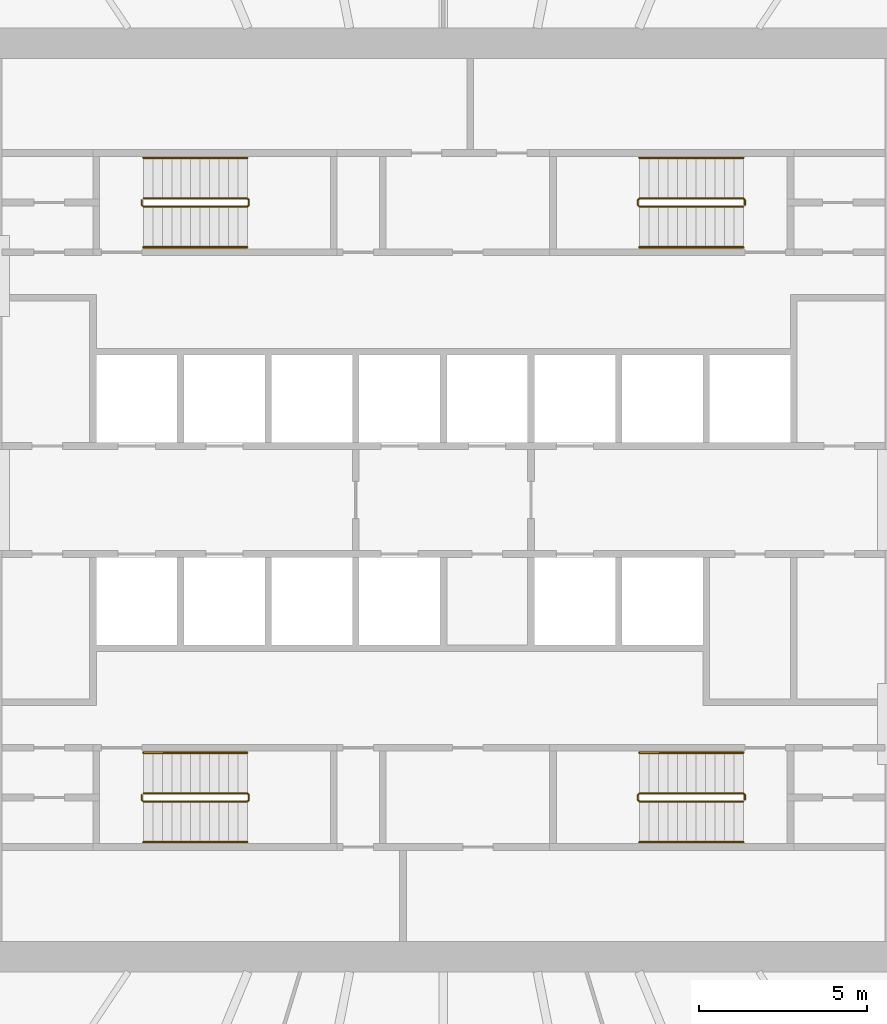
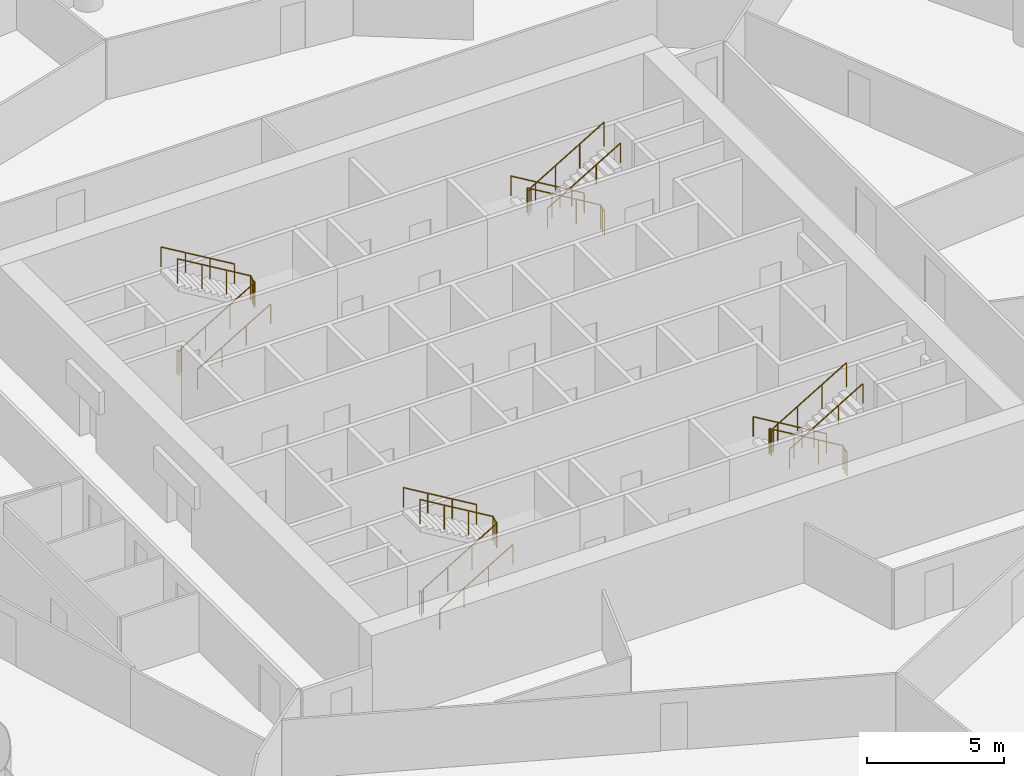
# One storey, part 9 of 9: 12 railings.
"""IFC4 building model written with IfcOpenShell, lengths in metres."""

from ifc_helpers import new_model, si_unit, direction, frame, origin, origin_2d, place, context, subcontext, project, spatial, circle, extrude, material, type_object, element, save


model = new_model("IFC4")

# Units and contexts
model_context = context("Model", 3, precision=1e-05, world=origin(), true_north=direction((0.0, 1.0)))
body_context = subcontext(model_context, "Body", "Model", "MODEL_VIEW")
ifc_project = project(units=[si_unit("LENGTHUNIT", "METRE"), si_unit("AREAUNIT", "SQUARE_METRE"), si_unit("VOLUMEUNIT", "CUBIC_METRE"), si_unit("PLANEANGLEUNIT", "RADIAN"), si_unit("MASSUNIT", "GRAM", prefix="KILO")], contexts=[model_context])

# Site, building, storey
site_placement = place(None, origin())
site = spatial("IfcSite", under=ifc_project, at=site_placement, CompositionType="ELEMENT")
building_placement = place(site_placement, origin())
building = spatial("IfcBuilding", under=site, at=building_placement, Name="Corvane Civic Tower", CompositionType="ELEMENT")
storey_placement = place(building_placement, frame((0.0, 0.0, 192.0)))
storey = spatial("IfcBuildingStorey", under=building, at=storey_placement, Name="L45", CompositionType="ELEMENT", Elevation=192.0)

# Railings
ifc_material_1 = material(Name="Steel ASTM A572 Gr 50", Category="steel")
railing_type_1 = type_object("IfcRailingType", Name="ST-GUARD-1100", PredefinedType="GUARDRAIL", material=ifc_material_1)
railing_1_placement = place(storey_placement, frame((8.949951171875, 8.75, 0.0)))
element("IfcRailing", 1, at=railing_1_placement, inside=storey, type_object=railing_type_1, Name="L45 ST1 stair guard 1", PredefinedType="GUARDRAIL", context=body_context, shape_type="SweptSolid", body=[
    extrude(circle(Radius=0.02392578125, at=origin_2d()), frame((0.0, 0.0, 1.076171875), z_axis=(0.0, 1.0, 0.0), x_axis=(-1.0, 0.0, 0.0)), (0.0, 0.0, 1.0), 0.14990234375),
    extrude(circle(Radius=0.02392578125, at=origin_2d()), frame((0.0, 0.14990234375, 1.076171875), z_axis=(-0.27628659633, 0.27628659633, 0.920506074601), x_axis=(-0.707106781187, -0.707106781187, 0.0)), (0.0, 0.0, 1.0), 0.18115234375),
    extrude(circle(Radius=0.02392578125, at=origin_2d()), frame((-0.050048828125, 0.199951171875, 1.24267578125), z_axis=(-0.859290745958, 0.0, 0.51148745235), x_axis=(0.0, -1.0, 0.0)), (0.0, 0.0, 1.0), 3.584228515625),
    extrude(circle(Radius=0.02392578125, at=origin_2d()), frame((-3.1298828125, 0.199951171875, 3.076171875), z_axis=(-0.707106781187, -0.707106781187, 0.0), x_axis=(0.707106781187, -0.707106781187, 0.0)), (0.0, 0.0, 1.0), 0.07080078125),
    extrude(circle(Radius=0.02392578125, at=origin_2d()), frame((-3.179931640625, 0.14990234375, 3.076171875), z_axis=(0.0, -1.0, 0.0), x_axis=(1.0, 0.0, 0.0)), (0.0, 0.0, 1.0), 0.14990234375),
    extrude(circle(Radius=0.02392578125, at=origin_2d()), frame((-3.179931640625, 0.0, 3.076171875), z_axis=(0.27628659633, -0.27628659633, 0.920506074601), x_axis=(0.707106781187, 0.707106781187, 0.0)), (0.0, 0.0, 1.0), 0.18115234375),
    extrude(circle(Radius=0.02392578125, at=origin_2d()), frame((-3.1298828125, -0.050048828125, 3.24267578125), z_axis=(0.859290745958, 0.0, 0.51148745235), x_axis=(0.0, 1.0, 0.0)), (0.0, 0.0, 1.0), 3.584228515625),
    extrude(circle(Radius=0.02099609375, at=origin_2d()), origin(), (0.0, 0.0, 1.0), 1.052001953125),
    extrude(circle(Radius=0.02099609375, at=origin_2d()), frame((0.0, 0.14990234375, 0.0)), (0.0, 0.0, 1.0), 1.052001953125),
    extrude(circle(Radius=0.02099609375, at=origin_2d()), frame((-0.050048828125, 0.199951171875, 0.166748046875)), (0.0, 0.0, 1.0), 1.052001953125),
    extrude(circle(Radius=0.02099609375, at=origin_2d()), frame((-1.07666015625, 0.199951171875, 0.77783203125)), (0.0, 0.0, 1.0), 1.052001953125),
    extrude(circle(Radius=0.02099609375, at=origin_2d()), frame((-2.103271484375, 0.199951171875, 1.388916015625)), (0.0, 0.0, 1.0), 1.052001953125),
    extrude(circle(Radius=0.02099609375, at=origin_2d()), frame((-3.1298828125, 0.199951171875, 2.0)), (0.0, 0.0, 1.0), 1.052001953125),
    extrude(circle(Radius=0.02099609375, at=origin_2d()), frame((-3.179931640625, 0.14990234375, 2.0)), (0.0, 0.0, 1.0), 1.052001953125),
    extrude(circle(Radius=0.02099609375, at=origin_2d()), frame((-3.179931640625, 0.0, 2.0)), (0.0, 0.0, 1.0), 1.052001953125),
    extrude(circle(Radius=0.02099609375, at=origin_2d()), frame((-3.1298828125, -0.050048828125, 2.166748046875)), (0.0, 0.0, 1.0), 1.052001953125),
    extrude(circle(Radius=0.02099609375, at=origin_2d()), frame((-2.103271484375, -0.050048828125, 2.77783203125)), (0.0, 0.0, 1.0), 1.052001953125),
    extrude(circle(Radius=0.02099609375, at=origin_2d()), frame((-1.07666015625, -0.050048828125, 3.388916015625)), (0.0, 0.0, 1.0), 1.052001953125),
    extrude(circle(Radius=0.02099609375, at=origin_2d()), frame((-0.050048828125, -0.050048828125, 4.0)), (0.0, 0.0, 1.0), 1.052001953125),
])
railing_2_placement = place(storey_placement, frame((8.949951171875, -8.89990234375, 0.0)))
element("IfcRailing", 2, at=railing_2_placement, inside=storey, type_object=railing_type_1, Name="L45 ST2 stair guard 1", PredefinedType="GUARDRAIL", context=body_context, shape_type="SweptSolid", body=[
    extrude(circle(Radius=0.02392578125, at=origin_2d()), frame((0.0, 0.0, 1.076171875), z_axis=(0.0, 1.0, 0.0), x_axis=(-1.0, 0.0, 0.0)), (0.0, 0.0, 1.0), 0.14990234375),
    extrude(circle(Radius=0.02392578125, at=origin_2d()), frame((0.0, 0.14990234375, 1.076171875), z_axis=(-0.27628659633, 0.27628659633, 0.920506074601), x_axis=(-0.707106781187, -0.707106781187, 0.0)), (0.0, 0.0, 1.0), 0.18115234375),
    extrude(circle(Radius=0.02392578125, at=origin_2d()), frame((-0.050048828125, 0.199951171875, 1.24267578125), z_axis=(-0.859290745958, 0.0, 0.51148745235), x_axis=(0.0, -1.0, 0.0)), (0.0, 0.0, 1.0), 3.584228515625),
    extrude(circle(Radius=0.02392578125, at=origin_2d()), frame((-3.1298828125, 0.199951171875, 3.076171875), z_axis=(-0.707106781187, -0.707106781187, 0.0), x_axis=(0.707106781187, -0.707106781187, 0.0)), (0.0, 0.0, 1.0), 0.07080078125),
    extrude(circle(Radius=0.02392578125, at=origin_2d()), frame((-3.179931640625, 0.14990234375, 3.076171875), z_axis=(0.0, -1.0, 0.0), x_axis=(1.0, 0.0, 0.0)), (0.0, 0.0, 1.0), 0.14990234375),
    extrude(circle(Radius=0.02392578125, at=origin_2d()), frame((-3.179931640625, 0.0, 3.076171875), z_axis=(0.27628659633, -0.27628659633, 0.920506074601), x_axis=(0.707106781187, 0.707106781187, 0.0)), (0.0, 0.0, 1.0), 0.18115234375),
    extrude(circle(Radius=0.02392578125, at=origin_2d()), frame((-3.1298828125, -0.050048828125, 3.24267578125), z_axis=(0.859290745958, 0.0, 0.51148745235), x_axis=(0.0, 1.0, 0.0)), (0.0, 0.0, 1.0), 3.584228515625),
    extrude(circle(Radius=0.02099609375, at=origin_2d()), origin(), (0.0, 0.0, 1.0), 1.052001953125),
    extrude(circle(Radius=0.02099609375, at=origin_2d()), frame((0.0, 0.14990234375, 0.0)), (0.0, 0.0, 1.0), 1.052001953125),
    extrude(circle(Radius=0.02099609375, at=origin_2d()), frame((-0.050048828125, 0.199951171875, 0.166748046875)), (0.0, 0.0, 1.0), 1.052001953125),
    extrude(circle(Radius=0.02099609375, at=origin_2d()), frame((-1.07666015625, 0.199951171875, 0.77783203125)), (0.0, 0.0, 1.0), 1.052001953125),
    extrude(circle(Radius=0.02099609375, at=origin_2d()), frame((-2.103271484375, 0.199951171875, 1.388916015625)), (0.0, 0.0, 1.0), 1.052001953125),
    extrude(circle(Radius=0.02099609375, at=origin_2d()), frame((-3.1298828125, 0.199951171875, 2.0)), (0.0, 0.0, 1.0), 1.052001953125),
    extrude(circle(Radius=0.02099609375, at=origin_2d()), frame((-3.179931640625, 0.14990234375, 2.0)), (0.0, 0.0, 1.0), 1.052001953125),
    extrude(circle(Radius=0.02099609375, at=origin_2d()), frame((-3.179931640625, 0.0, 2.0)), (0.0, 0.0, 1.0), 1.052001953125),
    extrude(circle(Radius=0.02099609375, at=origin_2d()), frame((-3.1298828125, -0.050048828125, 2.166748046875)), (0.0, 0.0, 1.0), 1.052001953125),
    extrude(circle(Radius=0.02099609375, at=origin_2d()), frame((-2.103271484375, -0.050048828125, 2.77783203125)), (0.0, 0.0, 1.0), 1.052001953125),
    extrude(circle(Radius=0.02099609375, at=origin_2d()), frame((-1.07666015625, -0.050048828125, 3.388916015625)), (0.0, 0.0, 1.0), 1.052001953125),
    extrude(circle(Radius=0.02099609375, at=origin_2d()), frame((-0.050048828125, -0.050048828125, 4.0)), (0.0, 0.0, 1.0), 1.052001953125),
])
railing_3_placement = place(storey_placement, frame((-8.949951171875, -8.75, 0.0)))
element("IfcRailing", 3, at=railing_3_placement, inside=storey, type_object=railing_type_1, Name="L45 ST3 stair guard 1", PredefinedType="GUARDRAIL", context=body_context, shape_type="SweptSolid", body=[
    extrude(circle(Radius=0.02392578125, at=origin_2d()), frame((0.0, 0.0, 1.076171875), z_axis=(0.0, -1.0, 0.0), x_axis=(1.0, 0.0, 0.0)), (0.0, 0.0, 1.0), 0.14990234375),
    extrude(circle(Radius=0.02392578125, at=origin_2d()), frame((0.0, -0.14990234375, 1.076171875), z_axis=(0.27628659633, -0.27628659633, 0.920506074601), x_axis=(0.707106781187, 0.707106781187, 0.0)), (0.0, 0.0, 1.0), 0.18115234375),
    extrude(circle(Radius=0.02392578125, at=origin_2d()), frame((0.050048828125, -0.199951171875, 1.24267578125), z_axis=(0.859290745958, 0.0, 0.51148745235), x_axis=(0.0, 1.0, 0.0)), (0.0, 0.0, 1.0), 3.584228515625),
    extrude(circle(Radius=0.02392578125, at=origin_2d()), frame((3.1298828125, -0.199951171875, 3.076171875), z_axis=(0.707106781187, 0.707106781187, 0.0), x_axis=(-0.707106781187, 0.707106781187, 0.0)), (0.0, 0.0, 1.0), 0.07080078125),
    extrude(circle(Radius=0.02392578125, at=origin_2d()), frame((3.179931640625, -0.14990234375, 3.076171875), z_axis=(0.0, 1.0, 0.0), x_axis=(-1.0, 0.0, 0.0)), (0.0, 0.0, 1.0), 0.14990234375),
    extrude(circle(Radius=0.02392578125, at=origin_2d()), frame((3.179931640625, 0.0, 3.076171875), z_axis=(-0.27628659633, 0.27628659633, 0.920506074601), x_axis=(-0.707106781187, -0.707106781187, 0.0)), (0.0, 0.0, 1.0), 0.18115234375),
    extrude(circle(Radius=0.02392578125, at=origin_2d()), frame((3.1298828125, 0.050048828125, 3.24267578125), z_axis=(-0.859290745958, 0.0, 0.51148745235), x_axis=(0.0, -1.0, 0.0)), (0.0, 0.0, 1.0), 3.584228515625),
    extrude(circle(Radius=0.02099609375, at=origin_2d()), origin(), (0.0, 0.0, 1.0), 1.052001953125),
    extrude(circle(Radius=0.02099609375, at=origin_2d()), frame((0.0, -0.14990234375, 0.0)), (0.0, 0.0, 1.0), 1.052001953125),
    extrude(circle(Radius=0.02099609375, at=origin_2d()), frame((0.050048828125, -0.199951171875, 0.166748046875)), (0.0, 0.0, 1.0), 1.052001953125),
    extrude(circle(Radius=0.02099609375, at=origin_2d()), frame((1.07666015625, -0.199951171875, 0.77783203125)), (0.0, 0.0, 1.0), 1.052001953125),
    extrude(circle(Radius=0.02099609375, at=origin_2d()), frame((2.103271484375, -0.199951171875, 1.388916015625)), (0.0, 0.0, 1.0), 1.052001953125),
    extrude(circle(Radius=0.02099609375, at=origin_2d()), frame((3.1298828125, -0.199951171875, 2.0)), (0.0, 0.0, 1.0), 1.052001953125),
    extrude(circle(Radius=0.02099609375, at=origin_2d()), frame((3.179931640625, -0.14990234375, 2.0)), (0.0, 0.0, 1.0), 1.052001953125),
    extrude(circle(Radius=0.02099609375, at=origin_2d()), frame((3.179931640625, 0.0, 2.0)), (0.0, 0.0, 1.0), 1.052001953125),
    extrude(circle(Radius=0.02099609375, at=origin_2d()), frame((3.1298828125, 0.050048828125, 2.166748046875)), (0.0, 0.0, 1.0), 1.052001953125),
    extrude(circle(Radius=0.02099609375, at=origin_2d()), frame((2.103271484375, 0.050048828125, 2.77783203125)), (0.0, 0.0, 1.0), 1.052001953125),
    extrude(circle(Radius=0.02099609375, at=origin_2d()), frame((1.07666015625, 0.050048828125, 3.388916015625)), (0.0, 0.0, 1.0), 1.052001953125),
    extrude(circle(Radius=0.02099609375, at=origin_2d()), frame((0.050048828125, 0.050048828125, 4.0)), (0.0, 0.0, 1.0), 1.052001953125),
])
railing_4_placement = place(storey_placement, frame((-8.949951171875, 8.89990234375, 0.0)))
element("IfcRailing", 4, at=railing_4_placement, inside=storey, type_object=railing_type_1, Name="L45 ST4 stair guard 1", PredefinedType="GUARDRAIL", context=body_context, shape_type="SweptSolid", body=[
    extrude(circle(Radius=0.02392578125, at=origin_2d()), frame((0.0, 0.0, 1.076171875), z_axis=(0.0, -1.0, 0.0), x_axis=(1.0, 0.0, 0.0)), (0.0, 0.0, 1.0), 0.14990234375),
    extrude(circle(Radius=0.02392578125, at=origin_2d()), frame((0.0, -0.14990234375, 1.076171875), z_axis=(0.27628659633, -0.27628659633, 0.920506074601), x_axis=(0.707106781187, 0.707106781187, 0.0)), (0.0, 0.0, 1.0), 0.18115234375),
    extrude(circle(Radius=0.02392578125, at=origin_2d()), frame((0.050048828125, -0.199951171875, 1.24267578125), z_axis=(0.859290745958, 0.0, 0.51148745235), x_axis=(0.0, 1.0, 0.0)), (0.0, 0.0, 1.0), 3.584228515625),
    extrude(circle(Radius=0.02392578125, at=origin_2d()), frame((3.1298828125, -0.199951171875, 3.076171875), z_axis=(0.707106781187, 0.707106781187, 0.0), x_axis=(-0.707106781187, 0.707106781187, 0.0)), (0.0, 0.0, 1.0), 0.07080078125),
    extrude(circle(Radius=0.02392578125, at=origin_2d()), frame((3.179931640625, -0.14990234375, 3.076171875), z_axis=(0.0, 1.0, 0.0), x_axis=(-1.0, 0.0, 0.0)), (0.0, 0.0, 1.0), 0.14990234375),
    extrude(circle(Radius=0.02392578125, at=origin_2d()), frame((3.179931640625, 0.0, 3.076171875), z_axis=(-0.27628659633, 0.27628659633, 0.920506074601), x_axis=(-0.707106781187, -0.707106781187, 0.0)), (0.0, 0.0, 1.0), 0.18115234375),
    extrude(circle(Radius=0.02392578125, at=origin_2d()), frame((3.1298828125, 0.050048828125, 3.24267578125), z_axis=(-0.859290745958, 0.0, 0.51148745235), x_axis=(0.0, -1.0, 0.0)), (0.0, 0.0, 1.0), 3.584228515625),
    extrude(circle(Radius=0.02099609375, at=origin_2d()), origin(), (0.0, 0.0, 1.0), 1.052001953125),
    extrude(circle(Radius=0.02099609375, at=origin_2d()), frame((0.0, -0.14990234375, 0.0)), (0.0, 0.0, 1.0), 1.052001953125),
    extrude(circle(Radius=0.02099609375, at=origin_2d()), frame((0.050048828125, -0.199951171875, 0.166748046875)), (0.0, 0.0, 1.0), 1.052001953125),
    extrude(circle(Radius=0.02099609375, at=origin_2d()), frame((1.07666015625, -0.199951171875, 0.77783203125)), (0.0, 0.0, 1.0), 1.052001953125),
    extrude(circle(Radius=0.02099609375, at=origin_2d()), frame((2.103271484375, -0.199951171875, 1.388916015625)), (0.0, 0.0, 1.0), 1.052001953125),
    extrude(circle(Radius=0.02099609375, at=origin_2d()), frame((3.1298828125, -0.199951171875, 2.0)), (0.0, 0.0, 1.0), 1.052001953125),
    extrude(circle(Radius=0.02099609375, at=origin_2d()), frame((3.179931640625, -0.14990234375, 2.0)), (0.0, 0.0, 1.0), 1.052001953125),
    extrude(circle(Radius=0.02099609375, at=origin_2d()), frame((3.179931640625, 0.0, 2.0)), (0.0, 0.0, 1.0), 1.052001953125),
    extrude(circle(Radius=0.02099609375, at=origin_2d()), frame((3.1298828125, 0.050048828125, 2.166748046875)), (0.0, 0.0, 1.0), 1.052001953125),
    extrude(circle(Radius=0.02099609375, at=origin_2d()), frame((2.103271484375, 0.050048828125, 2.77783203125)), (0.0, 0.0, 1.0), 1.052001953125),
    extrude(circle(Radius=0.02099609375, at=origin_2d()), frame((1.07666015625, 0.050048828125, 3.388916015625)), (0.0, 0.0, 1.0), 1.052001953125),
    extrude(circle(Radius=0.02099609375, at=origin_2d()), frame((0.050048828125, 0.050048828125, 4.0)), (0.0, 0.0, 1.0), 1.052001953125),
])
ifc_material_2 = material(Name="Steel ASTM A572 Gr 50", Category="steel")
railing_type_2 = type_object("IfcRailingType", Name="ST-HANDRAIL-900", PredefinedType="HANDRAIL", material=ifc_material_2)
railing_5_placement = place(storey_placement, frame((8.89990234375, 10.14990234375, 0.166748046875)))
element("IfcRailing", 5, at=railing_5_placement, inside=storey, type_object=railing_type_2, Name="L45 ST1 stair handrail 1", PredefinedType="HANDRAIL", context=body_context, shape_type="SweptSolid", body=[
    extrude(circle(Radius=0.02392578125, at=origin_2d()), frame((0.0, 0.0, 0.8759765625), z_axis=(-0.859290745958, 0.0, 0.51148745235), x_axis=(0.0, -1.0, 0.0)), (0.0, 0.0, 1.0), 3.584228515625),
    extrude(circle(Radius=0.02099609375, at=origin_2d()), origin(), (0.0, 0.0, 1.0), 0.851806640625),
    extrude(circle(Radius=0.02099609375, at=origin_2d()), frame((-1.026611328125, 0.0, 0.611083984375)), (0.0, 0.0, 1.0), 0.851806640625),
    extrude(circle(Radius=0.02099609375, at=origin_2d()), frame((-2.05322265625, 0.0, 1.22216796875)), (0.0, 0.0, 1.0), 0.851806640625),
    extrude(circle(Radius=0.02099609375, at=origin_2d()), frame((-3.079833984375, 0.0, 1.833251953125)), (0.0, 0.0, 1.0), 0.851806640625),
])
railing_6_placement = place(storey_placement, frame((5.820068359375, 7.5, 2.166748046875)))
element("IfcRailing", 6, at=railing_6_placement, inside=storey, type_object=railing_type_2, Name="L45 ST1 stair handrail 2", PredefinedType="HANDRAIL", context=body_context, shape_type="SweptSolid", body=[
    extrude(circle(Radius=0.02392578125, at=origin_2d()), frame((0.0, 0.0, 0.8759765625), z_axis=(0.859290745958, 0.0, 0.51148745235), x_axis=(0.0, 1.0, 0.0)), (0.0, 0.0, 1.0), 3.584228515625),
    extrude(circle(Radius=0.02099609375, at=origin_2d()), origin(), (0.0, 0.0, 1.0), 0.851806640625),
    extrude(circle(Radius=0.02099609375, at=origin_2d()), frame((1.026611328125, 0.0, 0.611083984375)), (0.0, 0.0, 1.0), 0.851806640625),
    extrude(circle(Radius=0.02099609375, at=origin_2d()), frame((2.05322265625, 0.0, 1.22216796875)), (0.0, 0.0, 1.0), 0.851806640625),
    extrude(circle(Radius=0.02099609375, at=origin_2d()), frame((3.079833984375, 0.0, 1.833251953125)), (0.0, 0.0, 1.0), 0.851806640625),
])
railing_7_placement = place(storey_placement, frame((8.89990234375, -7.5, 0.166748046875)))
element("IfcRailing", 7, at=railing_7_placement, inside=storey, type_object=railing_type_2, Name="L45 ST2 stair handrail 1", PredefinedType="HANDRAIL", context=body_context, shape_type="SweptSolid", body=[
    extrude(circle(Radius=0.02392578125, at=origin_2d()), frame((0.0, 0.0, 0.8759765625), z_axis=(-0.859290745958, 0.0, 0.51148745235), x_axis=(0.0, -1.0, 0.0)), (0.0, 0.0, 1.0), 3.584228515625),
    extrude(circle(Radius=0.02099609375, at=origin_2d()), origin(), (0.0, 0.0, 1.0), 0.851806640625),
    extrude(circle(Radius=0.02099609375, at=origin_2d()), frame((-1.026611328125, 0.0, 0.611083984375)), (0.0, 0.0, 1.0), 0.851806640625),
    extrude(circle(Radius=0.02099609375, at=origin_2d()), frame((-2.05322265625, 0.0, 1.22216796875)), (0.0, 0.0, 1.0), 0.851806640625),
    extrude(circle(Radius=0.02099609375, at=origin_2d()), frame((-3.079833984375, 0.0, 1.833251953125)), (0.0, 0.0, 1.0), 0.851806640625),
])
for number, where, name in (
    (8, (5.820068359375, -10.14990234375, 2.166748046875), "L45 ST2 stair handrail 2"),
    (9, (-8.89990234375, -10.14990234375, 0.166748046875), "L45 ST3 stair handrail 1"),
):
    element("IfcRailing", number, at=place(storey_placement, frame(where)), inside=storey, type_object=railing_type_2, Name=name, PredefinedType="HANDRAIL", context=body_context, shape_type="SweptSolid", body=[
        extrude(circle(Radius=0.02392578125, at=origin_2d()), frame((0.0, 0.0, 0.8759765625), z_axis=(0.859290745958, 0.0, 0.51148745235), x_axis=(0.0, 1.0, 0.0)), (0.0, 0.0, 1.0), 3.584228515625),
        extrude(circle(Radius=0.02099609375, at=origin_2d()), origin(), (0.0, 0.0, 1.0), 0.851806640625),
        extrude(circle(Radius=0.02099609375, at=origin_2d()), frame((1.026611328125, 0.0, 0.611083984375)), (0.0, 0.0, 1.0), 0.851806640625),
        extrude(circle(Radius=0.02099609375, at=origin_2d()), frame((2.05322265625, 0.0, 1.22216796875)), (0.0, 0.0, 1.0), 0.851806640625),
        extrude(circle(Radius=0.02099609375, at=origin_2d()), frame((3.079833984375, 0.0, 1.833251953125)), (0.0, 0.0, 1.0), 0.851806640625),
    ])
railing_8_placement = place(storey_placement, frame((-5.820068359375, -7.5, 2.166748046875)))
element("IfcRailing", 10, at=railing_8_placement, inside=storey, type_object=railing_type_2, Name="L45 ST3 stair handrail 2", PredefinedType="HANDRAIL", context=body_context, shape_type="SweptSolid", body=[
    extrude(circle(Radius=0.02392578125, at=origin_2d()), frame((0.0, 0.0, 0.8759765625), z_axis=(-0.859290745958, 0.0, 0.51148745235), x_axis=(0.0, -1.0, 0.0)), (0.0, 0.0, 1.0), 3.584228515625),
    extrude(circle(Radius=0.02099609375, at=origin_2d()), origin(), (0.0, 0.0, 1.0), 0.851806640625),
    extrude(circle(Radius=0.02099609375, at=origin_2d()), frame((-1.026611328125, 0.0, 0.611083984375)), (0.0, 0.0, 1.0), 0.851806640625),
    extrude(circle(Radius=0.02099609375, at=origin_2d()), frame((-2.05322265625, 0.0, 1.22216796875)), (0.0, 0.0, 1.0), 0.851806640625),
    extrude(circle(Radius=0.02099609375, at=origin_2d()), frame((-3.079833984375, 0.0, 1.833251953125)), (0.0, 0.0, 1.0), 0.851806640625),
])
railing_9_placement = place(storey_placement, frame((-8.89990234375, 7.5, 0.166748046875)))
element("IfcRailing", 11, at=railing_9_placement, inside=storey, type_object=railing_type_2, Name="L45 ST4 stair handrail 1", PredefinedType="HANDRAIL", context=body_context, shape_type="SweptSolid", body=[
    extrude(circle(Radius=0.02392578125, at=origin_2d()), frame((0.0, 0.0, 0.8759765625), z_axis=(0.859290745958, 0.0, 0.51148745235), x_axis=(0.0, 1.0, 0.0)), (0.0, 0.0, 1.0), 3.584228515625),
    extrude(circle(Radius=0.02099609375, at=origin_2d()), origin(), (0.0, 0.0, 1.0), 0.851806640625),
    extrude(circle(Radius=0.02099609375, at=origin_2d()), frame((1.026611328125, 0.0, 0.611083984375)), (0.0, 0.0, 1.0), 0.851806640625),
    extrude(circle(Radius=0.02099609375, at=origin_2d()), frame((2.05322265625, 0.0, 1.22216796875)), (0.0, 0.0, 1.0), 0.851806640625),
    extrude(circle(Radius=0.02099609375, at=origin_2d()), frame((3.079833984375, 0.0, 1.833251953125)), (0.0, 0.0, 1.0), 0.851806640625),
])
railing_10_placement = place(storey_placement, frame((-5.820068359375, 10.14990234375, 2.166748046875)))
element("IfcRailing", 12, at=railing_10_placement, inside=storey, type_object=railing_type_2, Name="L45 ST4 stair handrail 2", PredefinedType="HANDRAIL", context=body_context, shape_type="SweptSolid", body=[
    extrude(circle(Radius=0.02392578125, at=origin_2d()), frame((0.0, 0.0, 0.8759765625), z_axis=(-0.859290745958, 0.0, 0.51148745235), x_axis=(0.0, -1.0, 0.0)), (0.0, 0.0, 1.0), 3.584228515625),
    extrude(circle(Radius=0.02099609375, at=origin_2d()), origin(), (0.0, 0.0, 1.0), 0.851806640625),
    extrude(circle(Radius=0.02099609375, at=origin_2d()), frame((-1.026611328125, 0.0, 0.611083984375)), (0.0, 0.0, 1.0), 0.851806640625),
    extrude(circle(Radius=0.02099609375, at=origin_2d()), frame((-2.05322265625, 0.0, 1.22216796875)), (0.0, 0.0, 1.0), 0.851806640625),
    extrude(circle(Radius=0.02099609375, at=origin_2d()), frame((-3.079833984375, 0.0, 1.833251953125)), (0.0, 0.0, 1.0), 0.851806640625),
])

save(model, "model.ifc")
